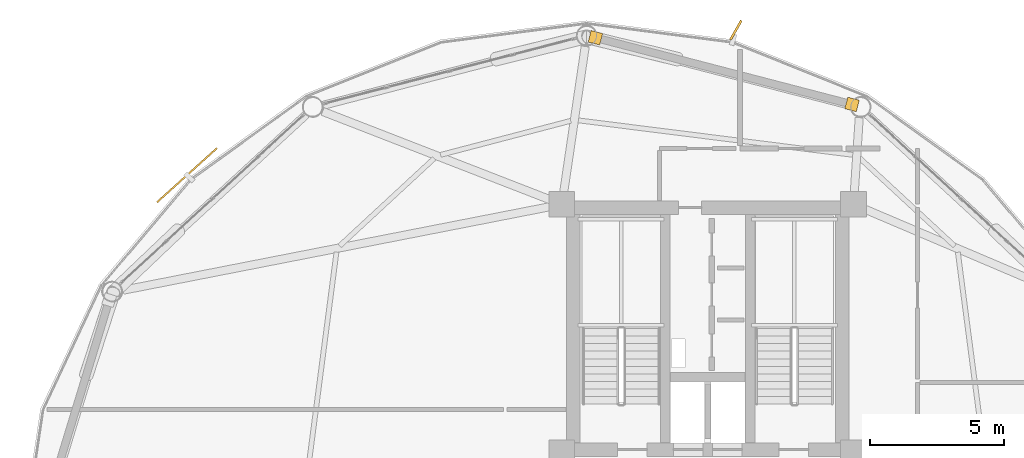
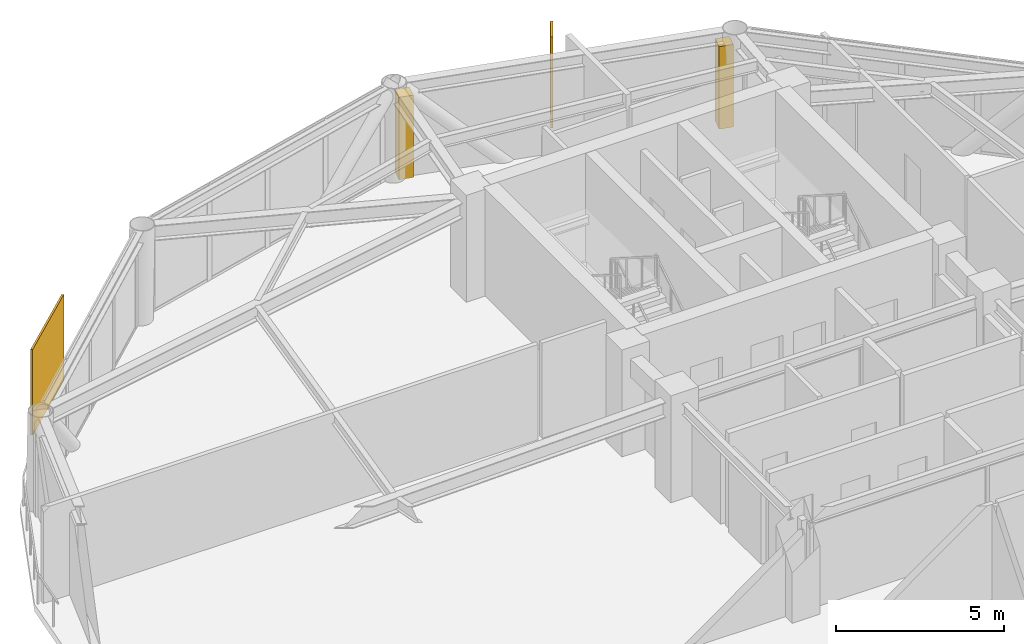
# One storey, part 26 of 26: 2 coverings, 2 shading devices.
"""IFC4 building model written with IfcOpenShell, lengths in metres."""

from ifc_helpers import new_model, si_unit, direction, frame, origin, origin_2d, place, context, subcontext, project, spatial, rectangle, extrude, source, transform, mapped, material, layer, layer_set, type_object, type_shapes, element, save


model = new_model("IFC4")

# Units and contexts
model_context = context("Model", 3, precision=1e-05, world=origin(), true_north=direction((0.0, 1.0)))
body_context = subcontext(model_context, "Body", "Model", "MODEL_VIEW")
ifc_project = project(units=[si_unit("LENGTHUNIT", "METRE"), si_unit("AREAUNIT", "SQUARE_METRE"), si_unit("VOLUMEUNIT", "CUBIC_METRE"), si_unit("PLANEANGLEUNIT", "RADIAN"), si_unit("MASSUNIT", "GRAM", prefix="KILO")], contexts=[model_context])

# Site, building, storey
site_placement = place(None, origin())
site = spatial("IfcSite", under=ifc_project, at=site_placement, CompositionType="ELEMENT")
building_placement = place(site_placement, origin())
building = spatial("IfcBuilding", under=site, at=building_placement, Name="Varnakorn Sky Granary", CompositionType="ELEMENT")
storey_placement = place(building_placement, frame((0.0, 0.0, 165.60009765625)))
storey = spatial("IfcBuildingStorey", under=building, at=storey_placement, Name="L41", CompositionType="ELEMENT", Elevation=165.60009765625)

# Coverings
ifc_material = material(Name="Anodised Bronze Aluminium Alloy 6063-T6", Category="aluminium")
ifc_layer = layer(ifc_material, 0.050048828125, Name="Anodised Bronze Aluminium Alloy 6063-T6")
ifc_layer_set = layer_set([ifc_layer], Name="Anodised Bronze Aluminium Alloy 6063-T6")
covering_type = type_object("IfcCoveringType", Name="CV-CLAD-50", PredefinedType="CLADDING", material=ifc_layer_set)
shared_shape_1 = source(origin(), body_context, "Body", "SweptSolid", [
    extrude(rectangle(XDim=0.43994140625, YDim=0.43994140625, at=origin_2d()), origin(), (0.0, 0.0, 1.0), 2.989990234375),
])
type_shapes(covering_type, [shared_shape_1])
for number, where, z_axis, x_axis, name in (
    (1, (-1.1748046875, 18.8134765625, -0.02001953125), (0.0, 0.0, 1.0), (0.967841021032, -0.251562632376, 0.0), "Bronze Corner Pilaster Closure L41-P03-A"),
    (2, (8.36572265625, 16.333740234375, -0.02001953125), (0.0, 0.0, 1.0), (0.967841021032, -0.251562632376, 0.0), "Bronze Corner Pilaster Closure L41-P03-B"),
):
    element("IfcCovering", number, at=place(storey_placement, frame(where, z_axis=z_axis, x_axis=x_axis)), inside=storey, type_object=covering_type, Name=name, PredefinedType="CLADDING", context=body_context, shape_type="MappedRepresentation", body=[
        mapped(shared_shape_1, transform((0.0, 0.0, 0.0), x_axis=(1.0, 0.0, 0.0), y_axis=(0.0, 1.0, 0.0), z_axis=(0.0, 0.0, 1.0), scale=1.0)),
    ])

# Shading devices
shading_device_type_1 = type_object("IfcShadingDeviceType", Name="SH-SCR-02", PredefinedType="USERDEFINED", material=ifc_material)
shared_shape_2 = source(origin(), body_context, "Body", "SweptSolid", [
    extrude(rectangle(XDim=3.0, YDim=0.06494140625, at=origin_2d()), origin(), (0.0, 0.0, 1.0), 3.10009765625),
])
type_shapes(shading_device_type_1, [shared_shape_2])
shading_device_1_placement = place(storey_placement, frame((-16.36083984375, 13.702392578125, -0.0400390625), z_axis=(0.0, 0.0, 1.0), x_axis=(-0.742295229692, -0.670072975113, 0.0)))
element("IfcShadingDevice", 3, at=shading_device_1_placement, inside=storey, type_object=shading_device_type_1, Name="Perforated Bronze Solar Screen Panel SCREEN L41-05", ObjectType="SCREEN", PredefinedType="USERDEFINED", context=body_context, shape_type="MappedRepresentation", body=[
    mapped(shared_shape_2, transform((0.0, 0.0, 0.0), x_axis=(1.0, 0.0, 0.0), y_axis=(0.0, 1.0, 0.0), z_axis=(0.0, 0.0, 1.0), scale=1.0)),
])
shading_device_type_2 = type_object("IfcShadingDeviceType", Name="SH-FIN-02", PredefinedType="USERDEFINED", material=ifc_material)
shared_shape_3 = source(origin(), body_context, "Body", "SweptSolid", [
    extrude(rectangle(XDim=0.0849609375, YDim=0.820068359375, at=origin_2d()), origin(), (0.0, 0.0, 1.0), 3.300048828125),
])
type_shapes(shading_device_type_2, [shared_shape_3])
shading_device_2_placement = place(storey_placement, frame((4.04638671875, 19.096435546875, -0.0400390625), z_axis=(0.0, 0.0, 1.0), x_axis=(-0.868577749864, 0.495552915885, 0.0)))
element("IfcShadingDevice", 4, at=shading_device_2_placement, inside=storey, type_object=shading_device_type_2, Name="Bronze Solar-Tracking Vertical Blade FIN L41-03", ObjectType="FIN", PredefinedType="USERDEFINED", context=body_context, shape_type="MappedRepresentation", body=[
    mapped(shared_shape_3, transform((0.0, 0.0, 0.0), x_axis=(1.0, 0.0, 0.0), y_axis=(0.0, 1.0, 0.0), z_axis=(0.0, 0.0, 1.0), scale=1.0)),
])

save(model, "model.ifc")
